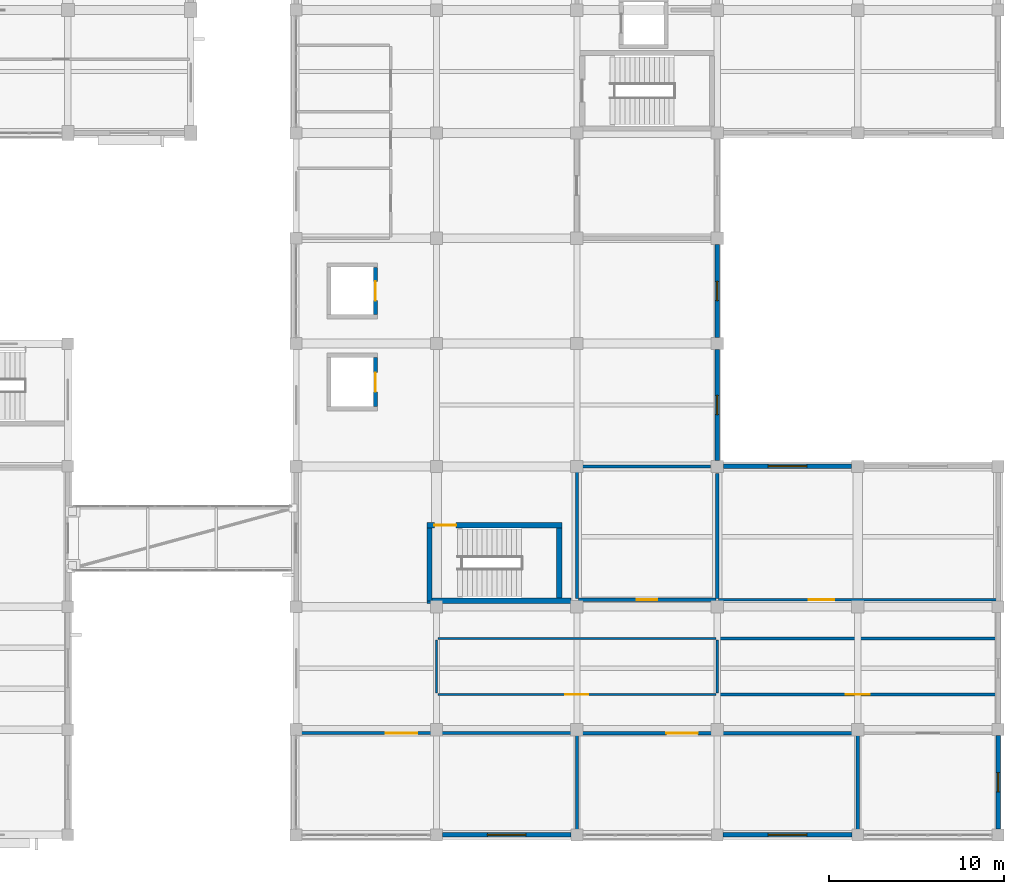
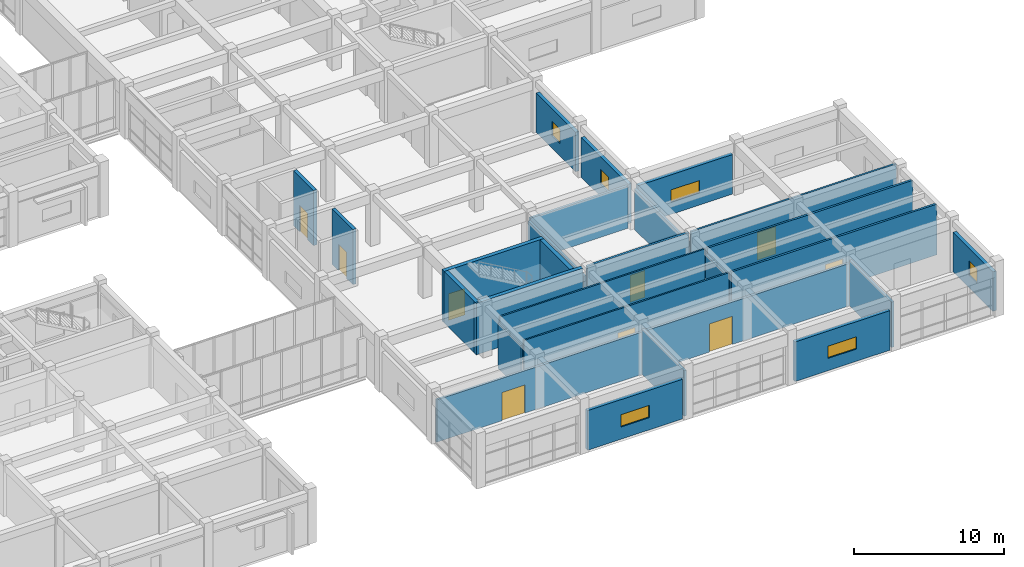
# One storey, part 55 of 72: 27 walls, 9 doors, 6 windows, 15 openings.
"""IFC4 building model written with IfcOpenShell, lengths in metres."""

from ifc_helpers import new_model, si_unit, direction, frame, frame_2d, origin, place, context, subcontext, project, spatial, rectangle, extrude, material, layer, layer_set, type_object, element, fill, save


model = new_model("IFC4")

# Units and contexts
model_context = context("Model", 3, precision=1e-05, world=origin(), true_north=direction((0.0, 1.0)))
body_context = subcontext(model_context, "Body", "Model", "MODEL_VIEW")
ifc_project = project(units=[si_unit("LENGTHUNIT", "METRE"), si_unit("AREAUNIT", "SQUARE_METRE"), si_unit("VOLUMEUNIT", "CUBIC_METRE"), si_unit("PLANEANGLEUNIT", "RADIAN"), si_unit("MASSUNIT", "GRAM", prefix="KILO")], contexts=[model_context])

# Site, building, storey
site_placement = place(None, origin())
site = spatial("IfcSite", under=ifc_project, at=site_placement, CompositionType="ELEMENT")
building_placement = place(site_placement, origin())
building = spatial("IfcBuilding", under=site, at=building_placement, Name="Naurynzar Civic Courthouse", CompositionType="ELEMENT")
storey_placement = place(building_placement, frame((0.0, 0.0, 9.89990234375)))
storey = spatial("IfcBuildingStorey", under=building, at=storey_placement, Name="L03", CompositionType="ELEMENT", Elevation=9.89990234375)

# Wall, opening, door
ifc_material_1 = material(Name="Acoustic Double-Stud Gypsum Partition")
ifc_layer_1 = layer(ifc_material_1, 0.175048828125)
ifc_layer_set_1 = layer_set([ifc_layer_1], Name="WL-ACOUSTIC-175")
wall_type_1 = type_object("IfcWallType", Name="WL-ACOUSTIC-175", PredefinedType="PARTITIONING", material=ifc_layer_set_1)
wall_1_placement = place(storey_placement, frame((130.080078125, 9.800048828125, 0.0), z_axis=(0.0, 0.0, 1.0), x_axis=(1.0, 0.0, 0.0)))
wall_1 = element("IfcWall", 1, at=wall_1_placement, inside=storey, type_object=wall_type_1, Name="V5 interior partition L03.310", PredefinedType="PARTITIONING", context=body_context, shape_type="SweptSolid", body=[
    extrude(rectangle(XDim=15.83984375, YDim=0.175048828125, at=frame_2d((7.919921875, 0.0))), origin(), (0.0, 0.0, 1.0), 3.4501953125),
])
opening_1_placement = place(wall_1_placement, frame((5.01904296875, 0.0, 0.0)))
opening_1 = element("IfcOpeningElement", 2, at=opening_1_placement, cuts=wall_1, Name="Opening D-305", PredefinedType="OPENING", context=body_context, shape_type="SweptSolid", body=[
    extrude(rectangle(XDim=1.800048828125, YDim=2.300048828125, at=frame_2d((0.89990234375, 1.14990234375))), frame((0.0, 0.097412109375, 0.0), z_axis=(0.0, -1.0, 0.0), x_axis=(1.0, 0.0, 0.0)), (0.0, 0.0, 1.0), 0.195068359375),
])
ifc_material_2 = material(Name="Acoustic Oak Timber Grade A", Category="wood")
door_type_1 = type_object("IfcDoorType", Name="DR-COURT-DBL-1800x2300", OperationType="DOUBLE_DOOR_SINGLE_SWING", PredefinedType="DOOR", material=ifc_material_2)
door_1_placement = place(opening_1_placement, origin())
door_1 = element("IfcDoor", 3, at=door_1_placement, inside=storey, type_object=door_type_1, Name="Interior door D-305 (Criminal Jury Courtroom L03-S1)", OperationType="DOUBLE_DOOR_SINGLE_SWING", OverallHeight=2.300048828125, OverallWidth=1.800048828125, PredefinedType="DOOR", context=body_context, shape_type="SweptSolid", body=[
    extrude(rectangle(XDim=1.800048828125, YDim=2.300048828125, at=frame_2d((0.89990234375, 1.14990234375))), frame((0.0, 0.02490234375, 0.0), z_axis=(0.0, -1.0, 0.0), x_axis=(1.0, 0.0, 0.0)), (0.0, 0.0, 1.0), 0.050048828125),
])
fill(opening_1, door_1)

ifc_material_3 = material(Name="Acoustic Double-Stud Gypsum Partition")
ifc_layer_2 = layer(ifc_material_3, 0.18505859375)
ifc_layer_set_2 = layer_set([ifc_layer_2], Name="WL-ACOUSTIC-185")
wall_type_2 = type_object("IfcWallType", Name="WL-ACOUSTIC-185", PredefinedType="PARTITIONING", material=ifc_layer_set_2)
wall_2_placement = place(storey_placement, frame((146.080078125, 9.800048828125, 0.0), z_axis=(0.0, 0.0, 1.0), x_axis=(1.0, 0.0, 0.0)))
wall_2 = element("IfcWall", 4, at=wall_2_placement, inside=storey, type_object=wall_type_2, Name="V5 interior partition L03.311", PredefinedType="PARTITIONING", context=body_context, shape_type="SweptSolid", body=[
    extrude(rectangle(XDim=15.83984375, YDim=0.18505859375, at=frame_2d((7.919921875, 0.0))), origin(), (0.0, 0.0, 1.0), 3.4501953125),
])
opening_2_placement = place(wall_2_placement, frame((5.01904296875, 0.0, 0.0)))
opening_2 = element("IfcOpeningElement", 5, at=opening_2_placement, cuts=wall_2, Name="Opening D-306", PredefinedType="OPENING", context=body_context, shape_type="SweptSolid", body=[
    extrude(rectangle(XDim=1.800048828125, YDim=2.300048828125, at=frame_2d((0.89990234375, 1.14990234375))), frame((0.0, 0.1025390625, 0.0), z_axis=(0.0, -1.0, 0.0), x_axis=(1.0, 0.0, 0.0)), (0.0, 0.0, 1.0), 0.205078125),
])
door_2_placement = place(opening_2_placement, origin())
door_2 = element("IfcDoor", 6, at=door_2_placement, inside=storey, type_object=door_type_1, Name="Interior door D-306 (Criminal Trial Courtroom L03-S2)", OperationType="DOUBLE_DOOR_SINGLE_SWING", OverallHeight=2.300048828125, OverallWidth=1.800048828125, PredefinedType="DOOR", context=body_context, shape_type="SweptSolid", body=[
    extrude(rectangle(XDim=1.800048828125, YDim=2.300048828125, at=frame_2d((0.89990234375, 1.14990234375))), frame((0.0, 0.02490234375, 0.0), z_axis=(0.0, -1.0, 0.0), x_axis=(1.0, 0.0, 0.0)), (0.0, 0.0, 1.0), 0.050048828125),
])
fill(opening_2, door_2)

# Walls
for number, where, z_axis, x_axis, name in (
    (7, (146.0, 4.080078125, 0.0), (0.0, 0.0, 1.0), (0.0, 1.0, 0.0), "V5 interior partition L03.426"),
    (8, (162.0, 4.080078125, 0.0), (0.0, 0.0, 1.0), (0.0, 1.0, 0.0), "V5 interior partition L03.435"),
):
    element("IfcWall", number, at=place(storey_placement, frame(where, z_axis=z_axis, x_axis=x_axis)), inside=storey, type_object=wall_type_2, Name=name, PredefinedType="PARTITIONING", context=body_context, shape_type="SweptSolid", body=[
        extrude(rectangle(XDim=5.639892578125, YDim=0.18505859375, at=frame_2d((2.81982421875, 0.0))), origin(), (0.0, 0.0, 1.0), 3.7001953125),
    ])

# Wall, opening, door
ifc_material_4 = material(Name="Concrete C40/50", Category="concrete")
ifc_layer_3 = layer(ifc_material_4, 0.300048828125)
ifc_layer_set_3 = layer_set([ifc_layer_3], Name="WL-CORE-300")
wall_type_3 = type_object("IfcWallType", Name="WL-CORE-300", PredefinedType="SHEAR", material=ifc_layer_set_3)
wall_3_placement = place(storey_placement, frame((145.14990234375, 21.64990234375, 0.0), z_axis=(0.0, 0.0, 1.0), x_axis=(-1.0, 0.0, 0.0)))
wall_3 = element("IfcWall", 9, at=wall_3_placement, inside=storey, type_object=wall_type_3, Name="Stair ST-V5A enclosure wall north L03", PredefinedType="SHEAR", context=body_context, shape_type="SweptSolid", body=[
    extrude(rectangle(XDim=7.699951171875, YDim=0.300048828125, at=frame_2d((3.85009765625, 0.0))), origin(), (0.0, 0.0, 1.0), 4.2001953125),
])
opening_3_placement = place(wall_3_placement, frame((6.02490234375, 0.0, 0.0)))
opening_3 = element("IfcOpeningElement", 10, at=opening_3_placement, cuts=wall_3, Name="Opening SD-062", PredefinedType="OPENING", context=body_context, shape_type="SweptSolid", body=[
    extrude(rectangle(XDim=1.25, YDim=2.14990234375, at=frame_2d((0.625, 1.074951171875))), frame((0.0, 0.159912109375, 0.0), z_axis=(0.0, -1.0, 0.0), x_axis=(1.0, 0.0, 0.0)), (0.0, 0.0, 1.0), 0.320068359375),
])
ifc_material_5 = material(Name="Powder-Coated Galvanised Steel", Category="steel")
door_type_2 = type_object("IfcDoorType", Name="DR-STAIR-1250x2150", OperationType="NOTDEFINED", PredefinedType="DOOR", material=ifc_material_5)
door_3_placement = place(opening_3_placement, origin())
door_3 = element("IfcDoor", 11, at=door_3_placement, inside=storey, type_object=door_type_2, Name="Stair ST-V5A fire door L03", OperationType="SINGLE_SWING_RIGHT", OverallHeight=2.14990234375, OverallWidth=1.25, PredefinedType="DOOR", context=body_context, shape_type="SweptSolid", body=[
    extrude(rectangle(XDim=1.25, YDim=2.14990234375, at=frame_2d((0.625, 1.074951171875))), frame((0.0, 0.02490234375, 0.0), z_axis=(0.0, -1.0, 0.0), x_axis=(1.0, 0.0, 0.0)), (0.0, 0.0, 1.0), 0.050048828125),
])
fill(opening_3, door_3)

# Walls
wall_4_placement = place(storey_placement, frame((137.449951171875, 17.35009765625, 0.0), z_axis=(0.0, 0.0, 1.0), x_axis=(1.0, 0.0, 0.0)))
element("IfcWall", 12, at=wall_4_placement, inside=storey, type_object=wall_type_3, Name="Stair ST-V5A enclosure wall south L03", PredefinedType="SHEAR", context=body_context, shape_type="SweptSolid", body=[
    extrude(rectangle(XDim=8.219970703125, YDim=0.300048828125, at=frame_2d((4.10986328125, 0.0))), origin(), (0.0, 0.0, 1.0), 4.2001953125),
])
wall_5_placement = place(storey_placement, frame((137.60009765625, 21.4951171875, 0.0), z_axis=(0.0, 0.0, 1.0), x_axis=(0.0, -1.0, 0.0)))
element("IfcWall", 13, at=wall_5_placement, inside=storey, type_object=wall_type_3, Name="Stair ST-V5A enclosure wall west L03", PredefinedType="SHEAR", context=body_context, shape_type="SweptSolid", body=[
    extrude(rectangle(XDim=4.1650390625, YDim=0.300048828125, at=frame_2d((2.08251953125, 0.0))), origin(), (0.0, 0.0, 1.0), 4.2001953125),
])
wall_6_placement = place(storey_placement, frame((145.0, 17.5048828125, 0.0), z_axis=(0.0, 0.0, 1.0), x_axis=(0.0, 1.0, 0.0)))
element("IfcWall", 14, at=wall_6_placement, inside=storey, type_object=wall_type_3, Name="Stair ST-V5A enclosure wall east L03", PredefinedType="SHEAR", context=body_context, shape_type="SweptSolid", body=[
    extrude(rectangle(XDim=3.990234375, YDim=0.300048828125, at=frame_2d((1.9951171875, 0.0))), origin(), (0.0, 0.0, 1.0), 4.2001953125),
])

# Wall, opening, window
ifc_material_6 = material(Name="Precast concrete C40/50", Category="concrete")
ifc_layer_4 = layer(ifc_material_6, 0.260009765625)
ifc_layer_set_4 = layer_set([ifc_layer_4], Name="WL-EXT-260")
wall_type_4 = type_object("IfcWallType", Name="WL-EXT-260", PredefinedType="SOLIDWALL", material=ifc_layer_set_4)
wall_7_placement = place(storey_placement, frame((154.0, 37.64990234375, 0.0), z_axis=(0.0, 0.0, 1.0), x_axis=(0.0, -1.0, 0.0)))
wall_7 = element("IfcWall", 15, at=wall_7_placement, inside=storey, type_object=wall_type_4, Name="V5 exterior wall notch_w L03.2.1", PredefinedType="SOLIDWALL", context=body_context, shape_type="SweptSolid", body=[
    extrude(rectangle(XDim=5.2998046875, YDim=0.260009765625, at=frame_2d((2.64990234375, 0.0))), origin(), (0.0, 0.0, 1.0), 3.22998046875),
])
opening_4_placement = place(wall_7_placement, frame((2.10009765625, 0.0, 1.0)))
opening_4 = element("IfcOpeningElement", 16, at=opening_4_placement, cuts=wall_7, Name="Opening WN-15", PredefinedType="OPENING", context=body_context, shape_type="SweptSolid", body=[
    extrude(rectangle(XDim=1.10009765625, YDim=1.199951171875, at=frame_2d((0.550048828125, 0.60009765625))), frame((0.0, 0.139892578125, 0.0), z_axis=(0.0, -1.0, 0.0), x_axis=(1.0, 0.0, 0.0)), (0.0, 0.0, 1.0), 0.280029296875),
])
ifc_material_7 = material(Name="Tempered Laminated Low-E Glass", Category="glass")
window_type_1 = type_object("IfcWindowType", Name="WIN-SEC-1100x1200", PartitioningType="SINGLE_PANEL", PredefinedType="WINDOW", material=ifc_material_7)
window_1_placement = place(opening_4_placement, origin())
window_1 = element("IfcWindow", 17, at=window_1_placement, inside=storey, type_object=window_type_1, Name="V5 window 291 L03", OverallHeight=1.199951171875, OverallWidth=1.10009765625, PartitioningType="SINGLE_PANEL", PredefinedType="WINDOW", context=body_context, shape_type="SweptSolid", body=[
    extrude(rectangle(XDim=1.10009765625, YDim=1.199951171875, at=frame_2d((0.550048828125, 0.60009765625))), frame((0.0, 0.030029296875, 0.0), z_axis=(0.0, -1.0, 0.0), x_axis=(1.0, 0.0, 0.0)), (0.0, 0.0, 1.0), 0.06005859375),
])
fill(opening_4, window_1)

wall_8_placement = place(storey_placement, frame((154.0, 31.64990234375, 0.0), z_axis=(0.0, 0.0, 1.0), x_axis=(0.0, -1.0, 0.0)))
wall_8 = element("IfcWall", 18, at=wall_8_placement, inside=storey, type_object=wall_type_4, Name="V5 exterior wall notch_w L03.3.1", PredefinedType="SOLIDWALL", context=body_context, shape_type="SweptSolid", body=[
    extrude(rectangle(XDim=6.2998046875, YDim=0.260009765625, at=frame_2d((3.14990234375, 0.0))), origin(), (0.0, 0.0, 1.0), 3.22998046875),
])
opening_5_placement = place(wall_8_placement, frame((2.60009765625, 0.0, 1.0)))
opening_5 = element("IfcOpeningElement", 19, at=opening_5_placement, cuts=wall_8, Name="Opening WN-15", PredefinedType="OPENING", context=body_context, shape_type="SweptSolid", body=[
    extrude(rectangle(XDim=1.10009765625, YDim=1.199951171875, at=frame_2d((0.550048828125, 0.60009765625))), frame((0.0, 0.139892578125, 0.0), z_axis=(0.0, -1.0, 0.0), x_axis=(1.0, 0.0, 0.0)), (0.0, 0.0, 1.0), 0.280029296875),
])
window_2_placement = place(opening_5_placement, origin())
window_2 = element("IfcWindow", 20, at=window_2_placement, inside=storey, type_object=window_type_1, Name="V5 window 292 L03", OverallHeight=1.199951171875, OverallWidth=1.10009765625, PartitioningType="SINGLE_PANEL", PredefinedType="WINDOW", context=body_context, shape_type="SweptSolid", body=[
    extrude(rectangle(XDim=1.10009765625, YDim=1.199951171875, at=frame_2d((0.550048828125, 0.60009765625))), frame((0.0, 0.030029296875, 0.0), z_axis=(0.0, -1.0, 0.0), x_axis=(1.0, 0.0, 0.0)), (0.0, 0.0, 1.0), 0.06005859375),
])
fill(opening_5, window_2)

wall_9_placement = place(storey_placement, frame((154.35009765625, 25.0, 0.0), z_axis=(0.0, 0.0, 1.0), x_axis=(1.0, 0.0, 0.0)))
wall_9 = element("IfcWall", 21, at=wall_9_placement, inside=storey, type_object=wall_type_4, Name="V5 exterior wall notch_s L03.1.1", PredefinedType="SOLIDWALL", context=body_context, shape_type="SweptSolid", body=[
    extrude(rectangle(XDim=7.2998046875, YDim=0.260009765625, at=frame_2d((3.64990234375, 0.0))), origin(), (0.0, 0.0, 1.0), 3.22998046875),
])
opening_6_placement = place(wall_9_placement, frame((2.550048828125, 0.0, 1.0)))
opening_6 = element("IfcOpeningElement", 22, at=opening_6_placement, cuts=wall_9, Name="Opening WN-18", PredefinedType="OPENING", context=body_context, shape_type="SweptSolid", body=[
    extrude(rectangle(XDim=2.199951171875, YDim=1.0, at=frame_2d((1.10009765625, 0.5))), frame((0.0, 0.139892578125, 0.0), z_axis=(0.0, -1.0, 0.0), x_axis=(1.0, 0.0, 0.0)), (0.0, 0.0, 1.0), 0.280029296875),
])
ifc_material_8 = material(Name="Tempered Laminated Low-E Glass", Category="glass")
window_type_2 = type_object("IfcWindowType", Name="WIN-CLER-2200x1000", PartitioningType="DOUBLE_PANEL_VERTICAL", PredefinedType="WINDOW", material=ifc_material_8)
window_3_placement = place(opening_6_placement, origin())
window_3 = element("IfcWindow", 23, at=window_3_placement, inside=storey, type_object=window_type_2, Name="V5 window 293 L03", OverallHeight=1.0, OverallWidth=2.199951171875, PartitioningType="SINGLE_PANEL", PredefinedType="WINDOW", context=body_context, shape_type="SweptSolid", body=[
    extrude(rectangle(XDim=2.199951171875, YDim=1.0, at=frame_2d((1.10009765625, 0.5))), frame((0.0, 0.030029296875, 0.0), z_axis=(0.0, -1.0, 0.0), x_axis=(1.0, 0.0, 0.0)), (0.0, 0.0, 1.0), 0.06005859375),
])
fill(opening_6, window_3)

wall_10_placement = place(storey_placement, frame((170.0, 9.66259765625, 0.0), z_axis=(0.0, 0.0, 1.0), x_axis=(0.0, -1.0, 0.0)))
wall_10 = element("IfcWall", 24, at=wall_10_placement, inside=storey, type_object=wall_type_4, Name="V5 exterior wall east_south L03.3.1", PredefinedType="SOLIDWALL", context=body_context, shape_type="SweptSolid", body=[
    extrude(rectangle(XDim=5.3251953125, YDim=0.260009765625, at=frame_2d((2.66259765625, 0.0))), origin(), (0.0, 0.0, 1.0), 3.22998046875),
])
opening_7_placement = place(wall_10_placement, frame((2.112548828125, 0.0, 1.0)))
opening_7 = element("IfcOpeningElement", 25, at=opening_7_placement, cuts=wall_10, Name="Opening WN-15", PredefinedType="OPENING", context=body_context, shape_type="SweptSolid", body=[
    extrude(rectangle(XDim=1.10009765625, YDim=1.199951171875, at=frame_2d((0.550048828125, 0.60009765625))), frame((0.0, 0.139892578125, 0.0), z_axis=(0.0, -1.0, 0.0), x_axis=(1.0, 0.0, 0.0)), (0.0, 0.0, 1.0), 0.280029296875),
])
window_4_placement = place(opening_7_placement, origin())
window_4 = element("IfcWindow", 26, at=window_4_placement, inside=storey, type_object=window_type_1, Name="V5 window 297 L03", OverallHeight=1.199951171875, OverallWidth=1.10009765625, PartitioningType="SINGLE_PANEL", PredefinedType="WINDOW", context=body_context, shape_type="SweptSolid", body=[
    extrude(rectangle(XDim=1.10009765625, YDim=1.199951171875, at=frame_2d((0.550048828125, 0.60009765625))), frame((0.0, 0.030029296875, 0.0), z_axis=(0.0, -1.0, 0.0), x_axis=(1.0, 0.0, 0.0)), (0.0, 0.0, 1.0), 0.06005859375),
])
fill(opening_7, window_4)

wall_11_placement = place(storey_placement, frame((161.66259765625, 4.0, 0.0), z_axis=(0.0, 0.0, 1.0), x_axis=(-1.0, 0.0, 0.0)))
wall_11 = element("IfcWall", 27, at=wall_11_placement, inside=storey, type_object=wall_type_4, Name="V5 exterior wall south L03.2.1", PredefinedType="SOLIDWALL", context=body_context, shape_type="SweptSolid", body=[
    extrude(rectangle(XDim=7.3251953125, YDim=0.260009765625, at=frame_2d((3.66259765625, 0.0))), origin(), (0.0, 0.0, 1.0), 3.22998046875),
])
opening_8_placement = place(wall_11_placement, frame((2.5625, 0.0, 1.0)))
opening_8 = element("IfcOpeningElement", 28, at=opening_8_placement, cuts=wall_11, Name="Opening WN-18", PredefinedType="OPENING", context=body_context, shape_type="SweptSolid", body=[
    extrude(rectangle(XDim=2.199951171875, YDim=1.0, at=frame_2d((1.10009765625, 0.5))), frame((0.0, 0.139892578125, 0.0), z_axis=(0.0, -1.0, 0.0), x_axis=(1.0, 0.0, 0.0)), (0.0, 0.0, 1.0), 0.280029296875),
])
window_5_placement = place(opening_8_placement, origin())
window_5 = element("IfcWindow", 29, at=window_5_placement, inside=storey, type_object=window_type_2, Name="V5 window 298 L03", OverallHeight=1.0, OverallWidth=2.199951171875, PartitioningType="SINGLE_PANEL", PredefinedType="WINDOW", context=body_context, shape_type="SweptSolid", body=[
    extrude(rectangle(XDim=2.199951171875, YDim=1.0, at=frame_2d((1.10009765625, 0.5))), frame((0.0, 0.030029296875, 0.0), z_axis=(0.0, -1.0, 0.0), x_axis=(1.0, 0.0, 0.0)), (0.0, 0.0, 1.0), 0.06005859375),
])
fill(opening_8, window_5)

wall_12_placement = place(storey_placement, frame((145.66259765625, 4.0, 0.0), z_axis=(0.0, 0.0, 1.0), x_axis=(-1.0, 0.0, 0.0)))
wall_12 = element("IfcWall", 30, at=wall_12_placement, inside=storey, type_object=wall_type_4, Name="V5 exterior wall south L03.4.1", PredefinedType="SOLIDWALL", context=body_context, shape_type="SweptSolid", body=[
    extrude(rectangle(XDim=7.3251953125, YDim=0.260009765625, at=frame_2d((3.66259765625, 0.0))), origin(), (0.0, 0.0, 1.0), 3.22998046875),
])
opening_9_placement = place(wall_12_placement, frame((2.5625, 0.0, 1.0)))
opening_9 = element("IfcOpeningElement", 31, at=opening_9_placement, cuts=wall_12, Name="Opening WN-18", PredefinedType="OPENING", context=body_context, shape_type="SweptSolid", body=[
    extrude(rectangle(XDim=2.199951171875, YDim=1.0, at=frame_2d((1.10009765625, 0.5))), frame((0.0, 0.139892578125, 0.0), z_axis=(0.0, -1.0, 0.0), x_axis=(1.0, 0.0, 0.0)), (0.0, 0.0, 1.0), 0.280029296875),
])
window_6_placement = place(opening_9_placement, origin())
window_6 = element("IfcWindow", 32, at=window_6_placement, inside=storey, type_object=window_type_2, Name="V5 window 299 L03", OverallHeight=1.0, OverallWidth=2.199951171875, PartitioningType="SINGLE_PANEL", PredefinedType="WINDOW", context=body_context, shape_type="SweptSolid", body=[
    extrude(rectangle(XDim=2.199951171875, YDim=1.0, at=frame_2d((1.10009765625, 0.5))), frame((0.0, 0.030029296875, 0.0), z_axis=(0.0, -1.0, 0.0), x_axis=(1.0, 0.0, 0.0)), (0.0, 0.0, 1.0), 0.06005859375),
])
fill(opening_9, window_6)

# Wall, opening, door
ifc_material_9 = material(Name="Insulated Metal-Stud Gypsum Partition")
ifc_layer_5 = layer(ifc_material_9, 0.159912109375)
ifc_layer_set_5 = layer_set([ifc_layer_5], Name="WL-PART-CHAMB-160")
wall_type_5 = type_object("IfcWallType", Name="WL-PART-CHAMB-160", PredefinedType="PARTITIONING", material=ifc_layer_set_5)
wall_13_placement = place(storey_placement, frame((154.080078125, 12.0, 0.0), z_axis=(0.0, 0.0, 1.0), x_axis=(1.0, 0.0, 0.0)))
wall_13 = element("IfcWall", 33, at=wall_13_placement, inside=storey, type_object=wall_type_5, Name="V5 interior partition L03.320", PredefinedType="PARTITIONING", context=body_context, shape_type="SweptSolid", body=[
    extrude(rectangle(XDim=15.83984375, YDim=0.159912109375, at=frame_2d((7.919921875, 0.0))), origin(), (0.0, 0.0, 1.0), 4.14013671875),
])
opening_10_placement = place(wall_13_placement, frame((7.239990234375, 0.0, 0.0)))
opening_10 = element("IfcOpeningElement", 34, at=opening_10_placement, cuts=wall_13, Name="Opening D-309", PredefinedType="OPENING", context=body_context, shape_type="SweptSolid", body=[
    extrude(rectangle(XDim=1.360107421875, YDim=2.199951171875, at=frame_2d((0.68017578125, 1.10009765625))), frame((0.0, 0.08984375, 0.0), z_axis=(0.0, -1.0, 0.0), x_axis=(1.0, 0.0, 0.0)), (0.0, 0.0, 1.0), 0.179931640625),
])
ifc_material_10 = material(Name="Acoustic Oak Timber Grade A", Category="wood")
door_type_3 = type_object("IfcDoorType", Name="DR-SUITE-1360x2200", OperationType="NOTDEFINED", PredefinedType="DOOR", material=ifc_material_10)
door_4_placement = place(opening_10_placement, origin())
door_4 = element("IfcDoor", 35, at=door_4_placement, inside=storey, type_object=door_type_3, Name="Interior door D-309 (Prosecutors' Preparation Room L03-SE)", OperationType="SINGLE_SWING_LEFT", OverallHeight=2.199951171875, OverallWidth=1.360107421875, PredefinedType="DOOR", context=body_context, shape_type="SweptSolid", body=[
    extrude(rectangle(XDim=1.360107421875, YDim=2.199951171875, at=frame_2d((0.68017578125, 1.10009765625))), frame((0.0, 0.02490234375, 0.0), z_axis=(0.0, -1.0, 0.0), x_axis=(1.0, 0.0, 0.0)), (0.0, 0.0, 1.0), 0.050048828125),
])
fill(opening_10, door_4)

# Walls
wall_14_placement = place(storey_placement, frame((154.080078125, 15.199951171875, 0.0), z_axis=(0.0, 0.0, 1.0), x_axis=(1.0, 0.0, 0.0)))
element("IfcWall", 36, at=wall_14_placement, inside=storey, type_object=wall_type_5, Name="V5 interior partition L03.322", PredefinedType="PARTITIONING", context=body_context, shape_type="SweptSolid", body=[
    extrude(rectangle(XDim=15.83984375, YDim=0.159912109375, at=frame_2d((7.919921875, 0.0))), origin(), (0.0, 0.0, 1.0), 4.14013671875),
])
wall_15_placement = place(storey_placement, frame((154.0, 12.080078125, 0.0), z_axis=(0.0, 0.0, 1.0), x_axis=(0.0, 1.0, 0.0)))
element("IfcWall", 37, at=wall_15_placement, inside=storey, type_object=wall_type_5, Name="V5 interior partition L03.431", PredefinedType="PARTITIONING", context=body_context, shape_type="SweptSolid", body=[
    extrude(rectangle(XDim=3.0400390625, YDim=0.159912109375, at=frame_2d((1.52001953125, 0.0))), origin(), (0.0, 0.0, 1.0), 3.7001953125),
])

# Wall, opening, door
ifc_material_11 = material(Name="Fire-Rated Corridor Gypsum Partition")
ifc_layer_6 = layer(ifc_material_11, 0.14990234375)
ifc_layer_set_6 = layer_set([ifc_layer_6], Name="WL-PART-CORR-150")
wall_type_6 = type_object("IfcWallType", Name="WL-PART-CORR-150", PredefinedType="PARTITIONING", material=ifc_layer_set_6)
wall_16_placement = place(storey_placement, frame((154.080078125, 17.39990234375, 0.0), z_axis=(0.0, 0.0, 1.0), x_axis=(1.0, 0.0, 0.0)))
wall_16 = element("IfcWall", 38, at=wall_16_placement, inside=storey, type_object=wall_type_6, Name="V5 interior partition L03.324", PredefinedType="PARTITIONING", context=body_context, shape_type="SweptSolid", body=[
    extrude(rectangle(XDim=15.83984375, YDim=0.14990234375, at=frame_2d((7.919921875, 0.0))), origin(), (0.0, 0.0, 1.0), 4.14013671875),
])
opening_11_placement = place(wall_16_placement, frame((5.1416015625, 0.0, 0.0)))
opening_11 = element("IfcOpeningElement", 39, at=opening_11_placement, cuts=wall_16, Name="Opening D-311", PredefinedType="OPENING", context=body_context, shape_type="SweptSolid", body=[
    extrude(rectangle(XDim=1.449951171875, YDim=2.25, at=frame_2d((0.72509765625, 1.125))), frame((0.0, 0.0849609375, 0.0), z_axis=(0.0, -1.0, 0.0), x_axis=(1.0, 0.0, 0.0)), (0.0, 0.0, 1.0), 0.169921875),
])
ifc_material_12 = material(Name="Acoustic Oak Timber Grade A", Category="wood")
door_type_4 = type_object("IfcDoorType", Name="DR-SUITE-1450x2250", OperationType="NOTDEFINED", PredefinedType="DOOR", material=ifc_material_12)
door_5_placement = place(opening_11_placement, origin())
door_5 = element("IfcDoor", 40, at=door_5_placement, inside=storey, type_object=door_type_4, Name="Interior door D-311 (Witness Protection Room L03)", OperationType="SINGLE_SWING_LEFT", OverallHeight=2.25, OverallWidth=1.449951171875, PredefinedType="DOOR", context=body_context, shape_type="SweptSolid", body=[
    extrude(rectangle(XDim=1.449951171875, YDim=2.25, at=frame_2d((0.72509765625, 1.125))), frame((0.0, 0.02490234375, 0.0), z_axis=(0.0, -1.0, 0.0), x_axis=(1.0, 0.0, 0.0)), (0.0, 0.0, 1.0), 0.050048828125),
])
fill(opening_11, door_5)

ifc_material_13 = material(Name="Acoustic Double-Stud Gypsum Partition")
ifc_layer_7 = layer(ifc_material_13, 0.179931640625)
ifc_layer_set_7 = layer_set([ifc_layer_7], Name="WL-PART-JURY-180")
wall_type_7 = type_object("IfcWallType", Name="WL-PART-JURY-180", PredefinedType="PARTITIONING", material=ifc_layer_set_7)
wall_17_placement = place(storey_placement, frame((146.080078125, 17.39990234375, 0.0), z_axis=(0.0, 0.0, 1.0), x_axis=(1.0, 0.0, 0.0)))
wall_17 = element("IfcWall", 41, at=wall_17_placement, inside=storey, type_object=wall_type_7, Name="V5 interior partition L03.323", PredefinedType="PARTITIONING", context=body_context, shape_type="SweptSolid", body=[
    extrude(rectangle(XDim=7.83984375, YDim=0.179931640625, at=frame_2d((3.919921875, 0.0))), origin(), (0.0, 0.0, 1.0), 4.14013671875),
])
opening_12_placement = place(wall_17_placement, frame((3.344970703125, 0.0, 0.0)))
opening_12 = element("IfcOpeningElement", 42, at=opening_12_placement, cuts=wall_17, Name="Opening D-310", PredefinedType="OPENING", context=body_context, shape_type="SweptSolid", body=[
    extrude(rectangle(XDim=1.14990234375, YDim=2.199951171875, at=frame_2d((0.574951171875, 1.10009765625))), frame((0.0, 0.099853515625, 0.0), z_axis=(0.0, -1.0, 0.0), x_axis=(1.0, 0.0, 0.0)), (0.0, 0.0, 1.0), 0.199951171875),
])
ifc_material_14 = material(Name="Acoustic Oak Timber Grade A", Category="wood")
door_type_5 = type_object("IfcDoorType", Name="DR-JURY-1150x2200", OperationType="NOTDEFINED", PredefinedType="DOOR", material=ifc_material_14)
door_6_placement = place(opening_12_placement, origin())
door_6 = element("IfcDoor", 43, at=door_6_placement, inside=storey, type_object=door_type_5, Name="Interior door D-310 (Jury Room L03-S)", OperationType="SINGLE_SWING_RIGHT", OverallHeight=2.199951171875, OverallWidth=1.14990234375, PredefinedType="DOOR", context=body_context, shape_type="SweptSolid", body=[
    extrude(rectangle(XDim=1.14990234375, YDim=2.199951171875, at=frame_2d((0.574951171875, 1.10009765625))), frame((0.0, 0.02490234375, 0.0), z_axis=(0.0, -1.0, 0.0), x_axis=(1.0, 0.0, 0.0)), (0.0, 0.0, 1.0), 0.050048828125),
])
fill(opening_12, door_6)

# Walls
wall_18_placement = place(storey_placement, frame((146.080078125, 25.0, 0.0), z_axis=(0.0, 0.0, 1.0), x_axis=(1.0, 0.0, 0.0)))
element("IfcWall", 44, at=wall_18_placement, inside=storey, type_object=wall_type_7, Name="V5 interior partition L03.331", PredefinedType="PARTITIONING", context=body_context, shape_type="SweptSolid", body=[
    extrude(rectangle(XDim=7.52001953125, YDim=0.179931640625, at=frame_2d((3.760009765625, 0.0))), origin(), (0.0, 0.0, 1.0), 3.4501953125),
])
wall_19_placement = place(storey_placement, frame((146.0, 17.47998046875, 0.0), z_axis=(0.0, 0.0, 1.0), x_axis=(0.0, 1.0, 0.0)))
element("IfcWall", 45, at=wall_19_placement, inside=storey, type_object=wall_type_7, Name="V5 interior partition L03.427", PredefinedType="PARTITIONING", context=body_context, shape_type="SweptSolid", body=[
    extrude(rectangle(XDim=7.43994140625, YDim=0.179931640625, at=frame_2d((3.719970703125, 0.0))), origin(), (0.0, 0.0, 1.0), 3.300048828125),
])
wall_20_placement = place(storey_placement, frame((154.0, 17.47998046875, 0.0), z_axis=(0.0, 0.0, 1.0), x_axis=(0.0, 1.0, 0.0)))
element("IfcWall", 46, at=wall_20_placement, inside=storey, type_object=wall_type_7, Name="V5 interior partition L03.432", PredefinedType="PARTITIONING", context=body_context, shape_type="SweptSolid", body=[
    extrude(rectangle(XDim=7.1201171875, YDim=0.179931640625, at=frame_2d((3.56005859375, 0.0))), origin(), (0.0, 0.0, 1.0), 3.300048828125),
])

# Wall, opening, door
ifc_material_15 = material(Name="Metal-Stud Gypsum Partition")
ifc_layer_8 = layer(ifc_material_15, 0.125)
ifc_layer_set_8 = layer_set([ifc_layer_8], Name="WL-PART-STD-125")
wall_type_8 = type_object("IfcWallType", Name="WL-PART-STD-125", PredefinedType="PARTITIONING", material=ifc_layer_set_8)
wall_21_placement = place(storey_placement, frame((138.080078125, 12.0, 0.0), z_axis=(0.0, 0.0, 1.0), x_axis=(1.0, 0.0, 0.0)))
wall_21 = element("IfcWall", 47, at=wall_21_placement, inside=storey, type_object=wall_type_8, Name="V5 interior partition L03.319", PredefinedType="PARTITIONING", context=body_context, shape_type="SweptSolid", body=[
    extrude(rectangle(XDim=15.83984375, YDim=0.125, at=frame_2d((7.919921875, 0.0))), origin(), (0.0, 0.0, 1.0), 4.14013671875),
])
opening_13_placement = place(wall_21_placement, frame((7.260009765625, 0.0, 0.0)))
opening_13 = element("IfcOpeningElement", 48, at=opening_13_placement, cuts=wall_21, Name="Opening D-308", PredefinedType="OPENING", context=body_context, shape_type="SweptSolid", body=[
    extrude(rectangle(XDim=1.320068359375, YDim=2.199951171875, at=frame_2d((0.66015625, 1.10009765625))), frame((0.0, 0.072509765625, 0.0), z_axis=(0.0, -1.0, 0.0), x_axis=(1.0, 0.0, 0.0)), (0.0, 0.0, 1.0), 0.14501953125),
])
ifc_material_16 = material(Name="Acoustic Oak Timber Grade A", Category="wood")
door_type_6 = type_object("IfcDoorType", Name="DR-SUITE-1320x2200", OperationType="NOTDEFINED", PredefinedType="DOOR", material=ifc_material_16)
door_7_placement = place(opening_13_placement, origin())
door_7 = element("IfcDoor", 49, at=door_7_placement, inside=storey, type_object=door_type_6, Name="Interior door D-308 (Victim and Witness Suite L03-SW)", OperationType="SINGLE_SWING_RIGHT", OverallHeight=2.199951171875, OverallWidth=1.320068359375, PredefinedType="DOOR", context=body_context, shape_type="SweptSolid", body=[
    extrude(rectangle(XDim=1.320068359375, YDim=2.199951171875, at=frame_2d((0.66015625, 1.10009765625))), frame((0.0, 0.02490234375, 0.0), z_axis=(0.0, -1.0, 0.0), x_axis=(1.0, 0.0, 0.0)), (0.0, 0.0, 1.0), 0.050048828125),
])
fill(opening_13, door_7)

# Walls
wall_22_placement = place(storey_placement, frame((138.080078125, 15.199951171875, 0.0), z_axis=(0.0, 0.0, 1.0), x_axis=(1.0, 0.0, 0.0)))
element("IfcWall", 50, at=wall_22_placement, inside=storey, type_object=wall_type_8, Name="V5 interior partition L03.321", PredefinedType="PARTITIONING", context=body_context, shape_type="SweptSolid", body=[
    extrude(rectangle(XDim=15.83984375, YDim=0.125, at=frame_2d((7.919921875, 0.0))), origin(), (0.0, 0.0, 1.0), 4.14013671875),
])
wall_23_placement = place(storey_placement, frame((138.0, 12.080078125, 0.0), z_axis=(0.0, 0.0, 1.0), x_axis=(0.0, 1.0, 0.0)))
element("IfcWall", 51, at=wall_23_placement, inside=storey, type_object=wall_type_8, Name="V5 interior partition L03.425", PredefinedType="PARTITIONING", context=body_context, shape_type="SweptSolid", body=[
    extrude(rectangle(XDim=3.0400390625, YDim=0.125, at=frame_2d((1.52001953125, 0.0))), origin(), (0.0, 0.0, 1.0), 3.7001953125),
])

# Wall, opening, door
ifc_material_17 = material(Name="Concrete C40/50", Category="concrete")
ifc_layer_9 = layer(ifc_material_17, 0.25)
ifc_layer_set_9 = layer_set([ifc_layer_9], Name="WL-SHAFT-250")
wall_type_9 = type_object("IfcWallType", Name="WL-SHAFT-250", PredefinedType="SHEAR", material=ifc_layer_set_9)
wall_24_placement = place(storey_placement, frame((134.52490234375, 33.655029296875, 0.0), z_axis=(0.0, 0.0, 1.0), x_axis=(0.0, 1.0, 0.0)))
wall_24 = element("IfcWall", 52, at=wall_24_placement, inside=storey, type_object=wall_type_9, Name="Lift LP-05 shaft wall east L03", PredefinedType="SHEAR", context=body_context, shape_type="SweptSolid", body=[
    extrude(rectangle(XDim=2.68994140625, YDim=0.25, at=frame_2d((1.344970703125, 0.0))), origin(), (0.0, 0.0, 1.0), 4.5),
])
opening_14_placement = place(wall_24_placement, frame((0.794921875, 0.0, 0.0)))
opening_14 = element("IfcOpeningElement", 53, at=opening_14_placement, cuts=wall_24, Name="Opening LD-071", PredefinedType="OPENING", context=body_context, shape_type="SweptSolid", body=[
    extrude(rectangle(XDim=1.10009765625, YDim=2.14990234375, at=frame_2d((0.550048828125, 1.074951171875))), frame((0.0, 0.135009765625, 0.0), z_axis=(0.0, -1.0, 0.0), x_axis=(1.0, 0.0, 0.0)), (0.0, 0.0, 1.0), 0.27001953125),
])
ifc_material_18 = material(Name="Brushed Stainless Steel 304", Category="steel")
door_type_7 = type_object("IfcDoorType", Name="DR-LIFT-SLIDE-1100x2150", OperationType="DOUBLE_DOOR_SLIDING", PredefinedType="DOOR", material=ifc_material_18)
door_8_placement = place(opening_14_placement, origin())
door_8 = element("IfcDoor", 54, at=door_8_placement, inside=storey, type_object=door_type_7, Name="Lift LP-05 sliding landing door L03", OperationType="DOUBLE_DOOR_SLIDING", OverallHeight=2.14990234375, OverallWidth=1.10009765625, PredefinedType="DOOR", context=body_context, shape_type="SweptSolid", body=[
    extrude(rectangle(XDim=1.10009765625, YDim=2.14990234375, at=frame_2d((0.550048828125, 1.074951171875))), frame((0.0, 0.02490234375, 0.0), z_axis=(0.0, -1.0, 0.0), x_axis=(1.0, 0.0, 0.0)), (0.0, 0.0, 1.0), 0.050048828125),
])
fill(opening_14, door_8)

wall_25_placement = place(storey_placement, frame((134.52490234375, 28.405029296875, 0.0), z_axis=(0.0, 0.0, 1.0), x_axis=(0.0, 1.0, 0.0)))
wall_25 = element("IfcWall", 55, at=wall_25_placement, inside=storey, type_object=wall_type_9, Name="Lift LP-06 shaft wall east L03", PredefinedType="SHEAR", context=body_context, shape_type="SweptSolid", body=[
    extrude(rectangle(XDim=2.7900390625, YDim=0.25, at=frame_2d((1.39501953125, 0.0))), origin(), (0.0, 0.0, 1.0), 4.5),
])
opening_15_placement = place(wall_25_placement, frame((0.844970703125, 0.0, 0.0)))
opening_15 = element("IfcOpeningElement", 56, at=opening_15_placement, cuts=wall_25, Name="Opening LD-080", PredefinedType="OPENING", context=body_context, shape_type="SweptSolid", body=[
    extrude(rectangle(XDim=1.10009765625, YDim=2.14990234375, at=frame_2d((0.550048828125, 1.074951171875))), frame((0.0, 0.135009765625, 0.0), z_axis=(0.0, -1.0, 0.0), x_axis=(1.0, 0.0, 0.0)), (0.0, 0.0, 1.0), 0.27001953125),
])
door_9_placement = place(opening_15_placement, origin())
door_9 = element("IfcDoor", 57, at=door_9_placement, inside=storey, type_object=door_type_7, Name="Lift LP-06 sliding landing door L03", OperationType="DOUBLE_DOOR_SLIDING", OverallHeight=2.14990234375, OverallWidth=1.10009765625, PredefinedType="DOOR", context=body_context, shape_type="SweptSolid", body=[
    extrude(rectangle(XDim=1.10009765625, YDim=2.14990234375, at=frame_2d((0.550048828125, 1.074951171875))), frame((0.0, 0.02490234375, 0.0), z_axis=(0.0, -1.0, 0.0), x_axis=(1.0, 0.0, 0.0)), (0.0, 0.0, 1.0), 0.050048828125),
])
fill(opening_15, door_9)

save(model, "model.ifc")
